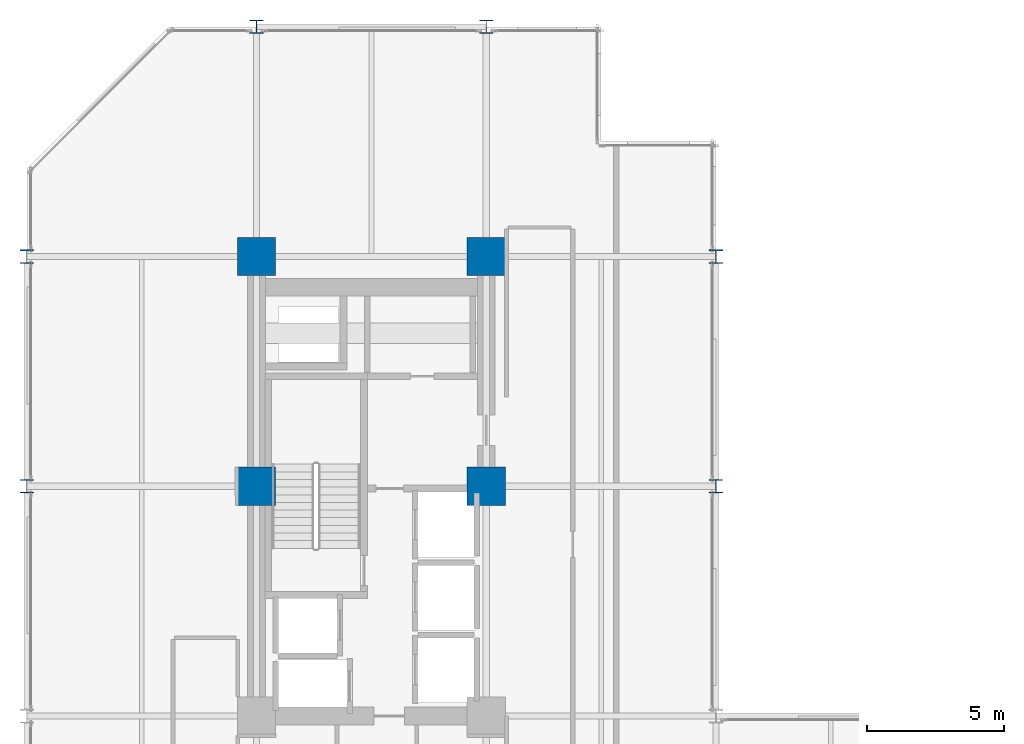
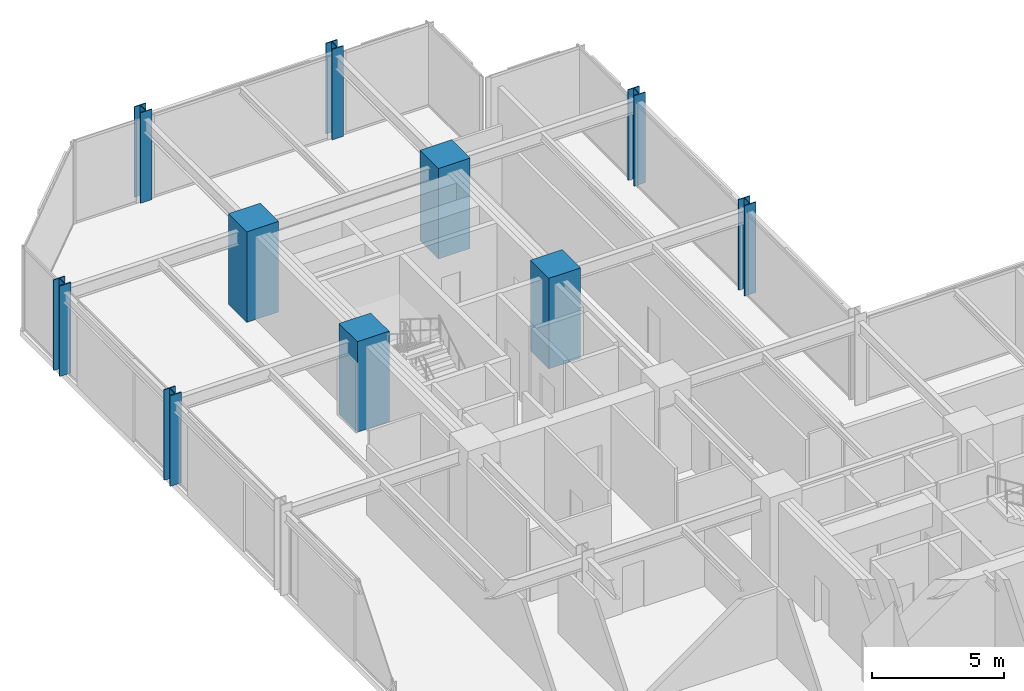
# One storey, part 3 of 26: 10 columns.
"""IFC4 building model written with IfcOpenShell, lengths in metres."""

from ifc_helpers import new_model, si_unit, direction, frame, origin, origin_2d, place, context, subcontext, project, spatial, rectangle, i_section, extrude, material, material_profile, profile_set, type_object, element, save


model = new_model("IFC4")

# Units and contexts
model_context = context("Model", 3, precision=1e-05, world=origin(), true_north=direction((0.0, 1.0)))
body_context = subcontext(model_context, "Body", "Model", "MODEL_VIEW")
ifc_project = project(units=[si_unit("LENGTHUNIT", "METRE"), si_unit("AREAUNIT", "SQUARE_METRE"), si_unit("VOLUMEUNIT", "CUBIC_METRE"), si_unit("PLANEANGLEUNIT", "RADIAN"), si_unit("MASSUNIT", "GRAM", prefix="KILO")], contexts=[model_context])

# Site, building, storey
site_placement = place(None, origin())
site = spatial("IfcSite", under=ifc_project, at=site_placement, CompositionType="ELEMENT")
building_placement = place(site_placement, origin())
building = spatial("IfcBuilding", under=site, at=building_placement, Name="Nerrivon Quay Data Exchange", CompositionType="ELEMENT")
storey_placement = place(building_placement, frame((0.0, 0.0, 75.199951171875)))
storey = spatial("IfcBuildingStorey", under=building, at=storey_placement, Name="L17", CompositionType="ELEMENT", Elevation=75.199951171875)

# Columns
ifc_material_1 = material(Name="Concrete N80 (80 MPa)", Category="concrete")
ifc_material_profile_1 = material_profile(ifc_material_1, rectangle(XDim=1.39990234375, YDim=1.39990234375, at=origin_2d()), Name="RC-COL-1400x1400")
ifc_profile_set_1 = profile_set([ifc_material_profile_1], Name="Concrete N80 (80 MPa)")
column_type_1 = type_object("IfcColumnType", Name="COL-C2-1400", PredefinedType="COLUMN", material=ifc_profile_set_1)
for number, where, z_axis, x_axis, name in (
    (1, (8.39990234375, 33.60009765625, 0.0), (0.0, 0.0, 1.0), (1.0, 0.0, 0.0), "L17 Column (8.4,33.6)"),
    (2, (8.39990234375, 42.0, 0.0), (0.0, 0.0, 1.0), (1.0, 0.0, 0.0), "L17 Column (8.4,42.0)"),
    (3, (16.800048828125, 33.60009765625, 0.0), (0.0, 0.0, 1.0), (1.0, 0.0, 0.0), "L17 Column (16.8,33.6)"),
    (4, (16.800048828125, 42.0, 0.0), (0.0, 0.0, 1.0), (1.0, 0.0, 0.0), "L17 Column (16.8,42.0)"),
):
    element("IfcColumn", number, at=place(storey_placement, frame(where, z_axis=z_axis, x_axis=x_axis)), inside=storey, type_object=column_type_1, Name=name, PredefinedType="COLUMN", context=body_context, shape_type="SweptSolid", body=[
        extrude(rectangle(XDim=1.39990234375, YDim=1.39990234375, at=origin_2d()), origin(), (0.0, 0.0, 1.0), 4.199951171875),
    ])
ifc_material_2 = material(Name="Steel Grade 350", Category="steel")
ifc_material_profile_2 = material_profile(ifc_material_2, i_section(OverallWidth=0.5, OverallDepth=0.5, WebThickness=0.028076171875, FlangeThickness=0.0400390625, at=origin_2d()), Name="500WC440")
ifc_profile_set_2 = profile_set([ifc_material_profile_2], Name="Steel Grade 350")
column_type_2 = type_object("IfcColumnType", Name="COL-SC1-500WC", PredefinedType="COLUMN", material=ifc_profile_set_2)
for number, where, z_axis, x_axis, name in (
    (5, (0.0, 33.60009765625, 0.0), (0.0, 0.0, 1.0), (1.0, 0.0, 0.0), "L17 Column (0.0,33.6)"),
    (6, (0.0, 42.0, 0.0), (0.0, 0.0, 1.0), (1.0, 0.0, 0.0), "L17 Column (0.0,42.0)"),
    (7, (8.39990234375, 50.39990234375, 0.0), (0.0, 0.0, 1.0), (1.0, 0.0, 0.0), "L17 Column (8.4,50.4)"),
    (8, (16.800048828125, 50.39990234375, 0.0), (0.0, 0.0, 1.0), (1.0, 0.0, 0.0), "L17 Column (16.8,50.4)"),
    (9, (25.199951171875, 33.60009765625, 0.0), (0.0, 0.0, 1.0), (1.0, 0.0, 0.0), "L17 Column (25.2,33.6)"),
    (10, (25.199951171875, 42.0, 0.0), (0.0, 0.0, 1.0), (1.0, 0.0, 0.0), "L17 Column (25.2,42.0)"),
):
    element("IfcColumn", number, at=place(storey_placement, frame(where, z_axis=z_axis, x_axis=x_axis)), inside=storey, type_object=column_type_2, Name=name, PredefinedType="COLUMN", context=body_context, shape_type="SweptSolid", body=[
        extrude(i_section(OverallWidth=0.5, OverallDepth=0.5, WebThickness=0.028076171875, FlangeThickness=0.0400390625, at=origin_2d()), origin(), (0.0, 0.0, 1.0), 4.199951171875),
    ])

save(model, "model.ifc")
